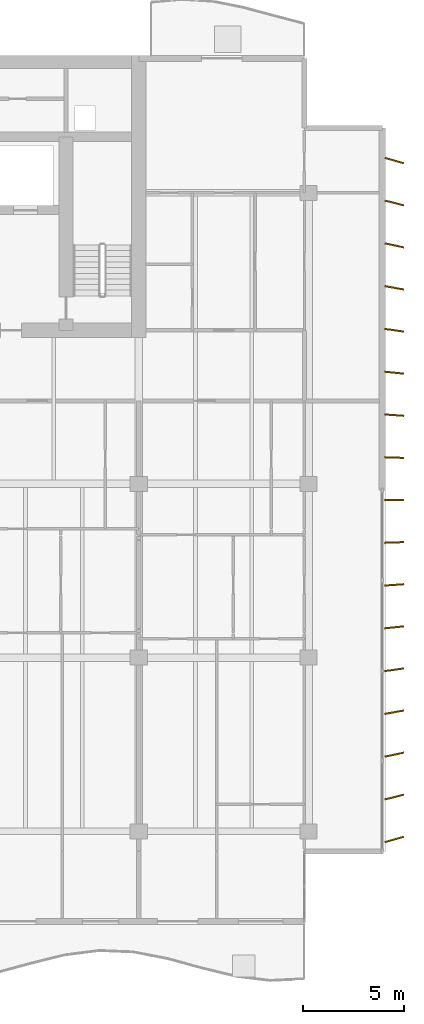
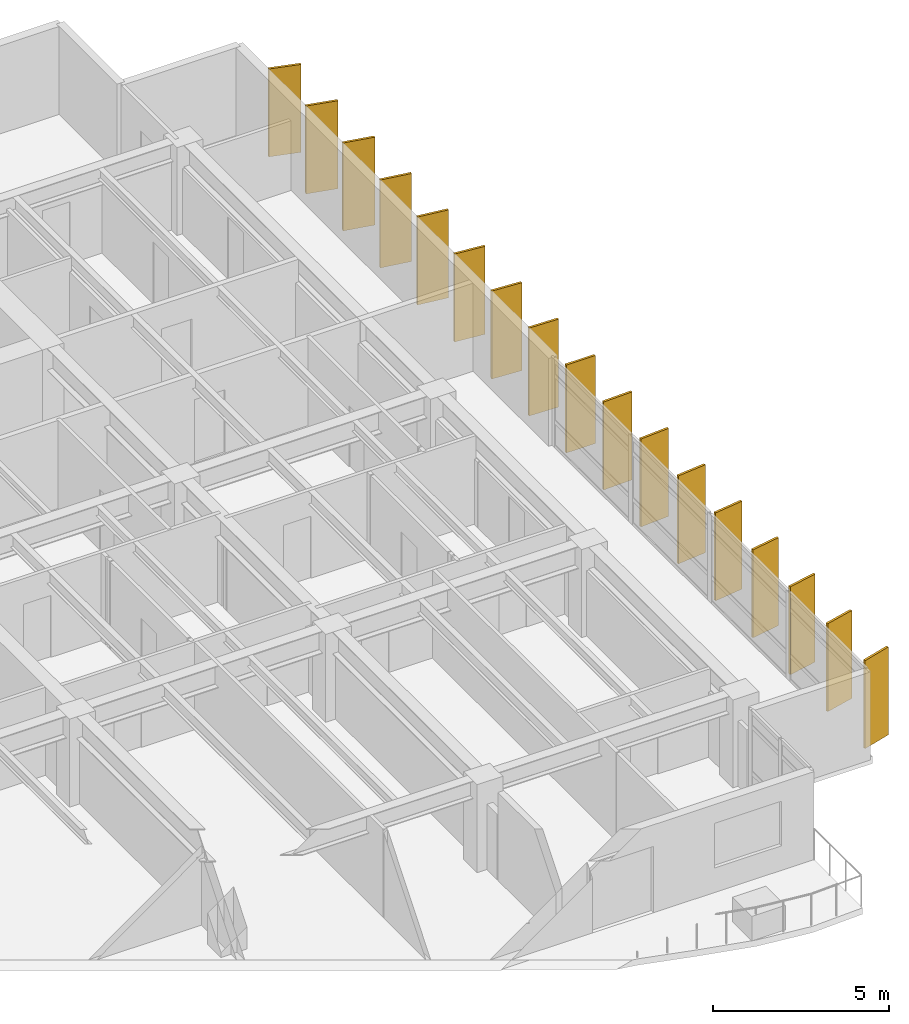
# One storey, part 19 of 19: 17 shading devices.
"""IFC4 building model written with IfcOpenShell, lengths in metres."""

from ifc_helpers import new_model, si_unit, direction, frame, origin, origin_2d, place, context, subcontext, project, spatial, rectangle, extrude, material, material_profile, profile_set, type_object, element, save


model = new_model("IFC4")

# Units and contexts
model_context = context("Model", 3, precision=1e-05, world=origin(), true_north=direction((0.0, 1.0)))
body_context = subcontext(model_context, "Body", "Model", "MODEL_VIEW")
ifc_project = project(units=[si_unit("LENGTHUNIT", "METRE"), si_unit("AREAUNIT", "SQUARE_METRE"), si_unit("VOLUMEUNIT", "CUBIC_METRE"), si_unit("PLANEANGLEUNIT", "RADIAN"), si_unit("MASSUNIT", "GRAM", prefix="KILO")], contexts=[model_context])

# Site, building, storey
site_placement = place(None, origin())
site = spatial("IfcSite", under=ifc_project, at=site_placement, CompositionType="ELEMENT")
building_placement = place(site_placement, origin())
building = spatial("IfcBuilding", under=site, at=building_placement, Name="Caelmar Bay Residences", CompositionType="ELEMENT")
storey_placement = place(building_placement, frame((0.0, 0.0, 188.39990234375)))
storey = spatial("IfcBuildingStorey", under=building, at=storey_placement, Name="L52", CompositionType="ELEMENT", Elevation=188.39990234375)

# Shading devices
ifc_material = material(Name="Anodised architectural bronze aluminium 6063-T6", Category="aluminium")
ifc_material_profile = material_profile(ifc_material, rectangle(XDim=0.074951171875, YDim=0.949951171875, at=origin_2d()), Name="BRONZE-FIN-75X950")
ifc_profile_set = profile_set([ifc_material_profile], Name="Anodised architectural bronze aluminium 6063-T6")
shading_device_type = type_object("IfcShadingDeviceType", Name="SHD-FIN-950", PredefinedType="USERDEFINED", material=ifc_profile_set)
for number, where, z_axis, x_axis, name in (
    (1, (72.14990234375, 11.800048828125, 0.0), (0.0, 0.0, 1.0), (-0.275637355817, 0.961261695938, 0.0), "L52 East Bronze Solar Fin 1"),
    (2, (72.14990234375, 13.89990234375, 0.0), (0.0, 0.0, 1.0), (-0.2419218956, 0.970295726276, 0.0), "L52 East Bronze Solar Fin 2"),
    (3, (72.14990234375, 16.0, 0.0), (0.0, 0.0, 1.0), (-0.207911690818, 0.978147600734, 0.0), "L52 East Bronze Solar Fin 3"),
    (4, (72.14990234375, 18.10009765625, 0.0), (0.0, 0.0, 1.0), (-0.173648177667, 0.984807753012, 0.0), "L52 East Bronze Solar Fin 4"),
    (5, (72.14990234375, 20.199951171875, 0.0), (0.0, 0.0, 1.0), (-0.13917310096, 0.990268068742, 0.0), "L52 East Bronze Solar Fin 5"),
    (6, (72.14990234375, 22.300048828125, 0.0), (0.0, 0.0, 1.0), (-0.104528463268, 0.994521895368, 0.0), "L52 East Bronze Solar Fin 6"),
    (7, (72.14990234375, 24.39990234375, 0.0), (0.0, 0.0, 1.0), (-0.069756473744, 0.99756405026, 0.0), "L52 East Bronze Solar Fin 7"),
    (8, (72.14990234375, 26.5, 0.0), (0.0, 0.0, 1.0), (-0.034899496703, 0.999390827019, 0.0), "L52 East Bronze Solar Fin 8"),
    (9, (72.14990234375, 28.60009765625, 0.0), (0.0, 0.0, 1.0), (0.0, 1.0, 0.0), "L52 East Bronze Solar Fin 9"),
    (10, (72.14990234375, 30.699951171875, 0.0), (0.0, 0.0, 1.0), (0.034899496703, 0.999390827019, 0.0), "L52 East Bronze Solar Fin 10"),
    (11, (72.14990234375, 32.800048828125, 0.0), (0.0, 0.0, 1.0), (0.069756473744, 0.99756405026, 0.0), "L52 East Bronze Solar Fin 11"),
    (12, (72.14990234375, 34.89990234375, 0.0), (0.0, 0.0, 1.0), (0.104528463268, 0.994521895368, 0.0), "L52 East Bronze Solar Fin 12"),
    (13, (72.14990234375, 37.0, 0.0), (0.0, 0.0, 1.0), (0.13917310096, 0.990268068742, 0.0), "L52 East Bronze Solar Fin 13"),
    (14, (72.14990234375, 39.10009765625, 0.0), (0.0, 0.0, 1.0), (0.173648177667, 0.984807753012, 0.0), "L52 East Bronze Solar Fin 14"),
    (15, (72.14990234375, 41.199951171875, 0.0), (0.0, 0.0, 1.0), (0.207911690818, 0.978147600734, 0.0), "L52 East Bronze Solar Fin 15"),
    (16, (72.14990234375, 43.300048828125, 0.0), (0.0, 0.0, 1.0), (0.2419218956, 0.970295726276, 0.0), "L52 East Bronze Solar Fin 16"),
    (17, (72.14990234375, 45.39990234375, 0.0), (0.0, 0.0, 1.0), (0.275637355817, 0.961261695938, 0.0), "L52 East Bronze Solar Fin 17"),
):
    element("IfcShadingDevice", number, at=place(storey_placement, frame(where, z_axis=z_axis, x_axis=x_axis)), inside=storey, type_object=shading_device_type, Name=name, ObjectType="FIN", PredefinedType="USERDEFINED", context=body_context, shape_type="SweptSolid", body=[
        extrude(rectangle(XDim=0.074951171875, YDim=0.949951171875, at=origin_2d()), origin(), (0.0, 0.0, 1.0), 3.050048828125),
    ])

save(model, "model.ifc")
